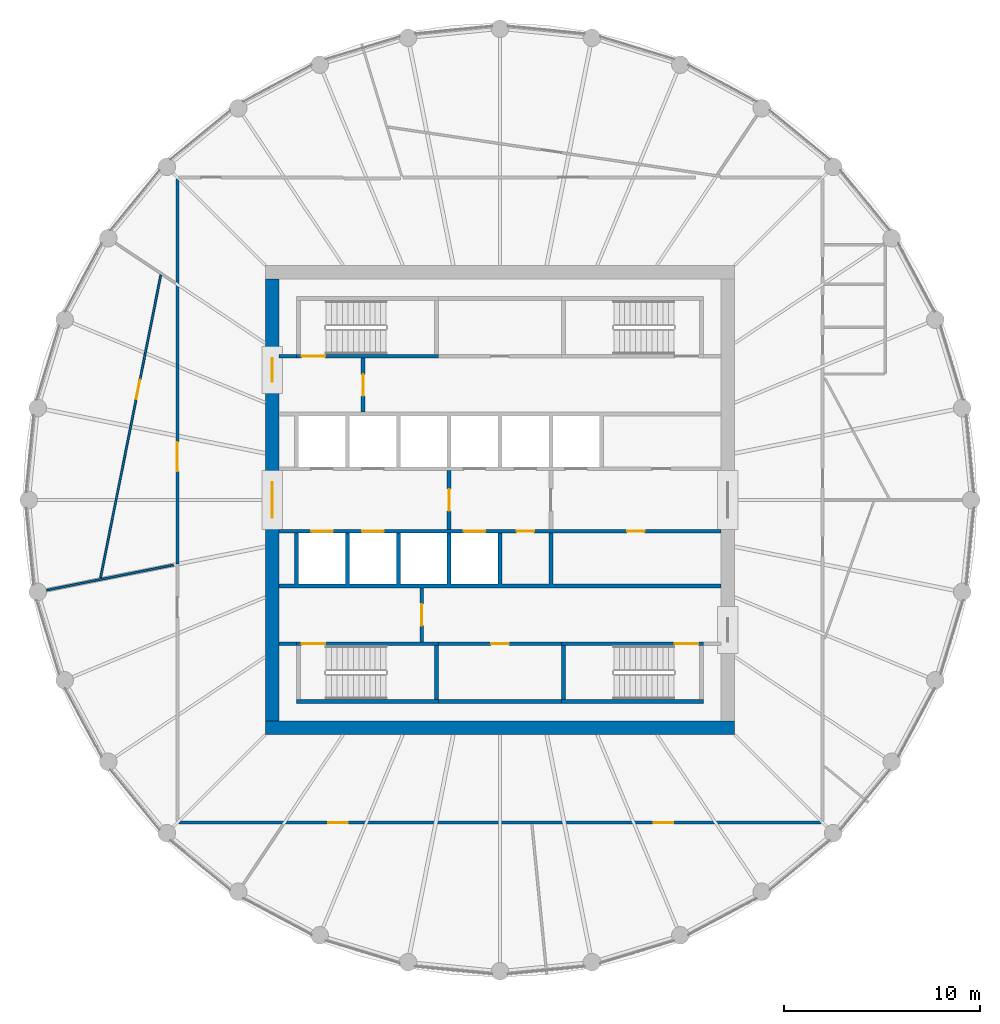
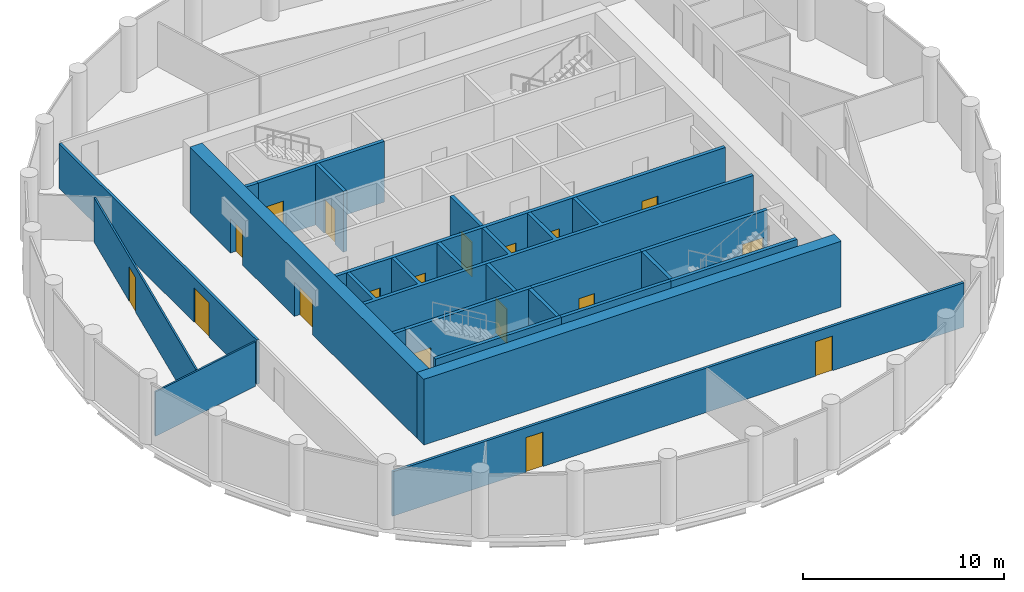
# One storey, part 4 of 7: 22 walls, 18 doors, 18 openings.
"""IFC4 building model written with IfcOpenShell, lengths in metres."""

from ifc_helpers import new_model, si_unit, direction, frame, frame_2d, origin, place, context, subcontext, project, spatial, polyline, rectangle, outline, extrude, material, layer, layer_set, type_object, element, fill, save


model = new_model("IFC4")

# Units and contexts
model_context = context("Model", 3, precision=1e-05, world=origin(), true_north=direction((0.0, 1.0)))
body_context = subcontext(model_context, "Body", "Model", "MODEL_VIEW")
ifc_project = project(units=[si_unit("LENGTHUNIT", "METRE"), si_unit("AREAUNIT", "SQUARE_METRE"), si_unit("VOLUMEUNIT", "CUBIC_METRE"), si_unit("PLANEANGLEUNIT", "RADIAN"), si_unit("MASSUNIT", "GRAM", prefix="KILO")], contexts=[model_context])

# Site, building, storey
site_placement = place(None, origin())
site = spatial("IfcSite", under=ifc_project, at=site_placement, CompositionType="ELEMENT")
building_placement = place(site_placement, origin())
building = spatial("IfcBuilding", under=site, at=building_placement, Name="Corvane Civic Tower", CompositionType="ELEMENT")
storey_placement = place(building_placement, frame((0.0, 0.0, 291.0)))
storey = spatial("IfcBuildingStorey", under=building, at=storey_placement, Name="L69", CompositionType="ELEMENT", Elevation=291.0)

# Wall
ifc_material_1 = material(Name="Concrete C40/50", Category="concrete")
ifc_layer_1 = layer(ifc_material_1, 0.699951171875)
ifc_layer_set_1 = layer_set([ifc_layer_1], Name="Concrete C40/50")
wall_type_1 = type_object("IfcWallType", Name="CORE WALL 700 C40/50", PredefinedType="SHEAR", material=ifc_layer_set_1)
wall_1_placement = place(storey_placement, frame((-12.0, -11.64990234375, 0.0), z_axis=(0.0, 0.0, 1.0), x_axis=(1.0, 0.0, 0.0)))
element("IfcWall", 1, at=wall_1_placement, inside=storey, type_object=wall_type_1, Name="W-L69-core-S", PredefinedType="SHEAR", context=body_context, shape_type="SweptSolid", body=[
    extrude(rectangle(XDim=24.0, YDim=0.699951171875, at=frame_2d((12.0, 0.0))), origin(), (0.0, 0.0, 1.0), 4.0),
])

# Wall, openings, doors
wall_2_placement = place(storey_placement, frame((-11.64990234375, -11.300048828125, 0.0), z_axis=(0.0, 0.0, 1.0), x_axis=(0.0, 1.0, 0.0)))
wall_2 = element("IfcWall", 2, at=wall_2_placement, inside=storey, type_object=wall_type_1, Name="W-L69-core-W", PredefinedType="SHEAR", context=body_context, shape_type="SweptSolid", body=[
    extrude(rectangle(XDim=22.60009765625, YDim=0.699951171875, at=frame_2d((11.300048828125, 0.0))), origin(), (0.0, 0.0, 1.0), 4.0),
])
opening_1_placement = place(wall_2_placement, frame((10.39990234375, 0.0, 0.0)))
opening_1 = element("IfcOpeningElement", 3, at=opening_1_placement, cuts=wall_2, Name="Opening L69.C14", PredefinedType="OPENING", context=body_context, shape_type="SweptSolid", body=[
    extrude(rectangle(XDim=1.800048828125, YDim=2.10009765625, at=frame_2d((0.89990234375, 1.050048828125))), frame((0.0, 0.35986328125, 0.0), z_axis=(0.0, -1.0, 0.0), x_axis=(1.0, 0.0, 0.0)), (0.0, 0.0, 1.0), 0.719970703125),
])
opening_2_placement = place(wall_2_placement, frame((17.35009765625, 0.0, 0.0)))
opening_2 = element("IfcOpeningElement", 4, at=opening_2_placement, cuts=wall_2, Name="Opening L69.C16", PredefinedType="OPENING", context=body_context, shape_type="SweptSolid", body=[
    extrude(rectangle(XDim=1.199951171875, YDim=2.10009765625, at=frame_2d((0.60009765625, 1.050048828125))), frame((0.0, 0.35986328125, 0.0), z_axis=(0.0, -1.0, 0.0), x_axis=(1.0, 0.0, 0.0)), (0.0, 0.0, 1.0), 0.719970703125),
])
ifc_material_2 = material(Name="Steel fire door leaf", Category="steel")
door_type_1 = type_object("IfcDoorType", Name="CR-DOOR-CORE-1800", OperationType="DOUBLE_DOOR_SINGLE_SWING", PredefinedType="DOOR", material=ifc_material_2)
door_1_placement = place(opening_1_placement, origin())
door_1 = element("IfcDoor", 5, at=door_1_placement, inside=storey, type_object=door_type_1, Name="L69 door", OperationType="DOUBLE_DOOR_SINGLE_SWING", OverallHeight=2.10009765625, OverallWidth=1.800048828125, PredefinedType="DOOR", context=body_context, shape_type="SweptSolid", body=[
    extrude(rectangle(XDim=1.800048828125, YDim=2.10009765625, at=frame_2d((0.89990234375, 1.050048828125))), frame((0.0, 0.02490234375, 0.0), z_axis=(0.0, -1.0, 0.0), x_axis=(1.0, 0.0, 0.0)), (0.0, 0.0, 1.0), 0.050048828125),
])
fill(opening_1, door_1)
door_2_placement = place(opening_2_placement, origin())
door_2 = element("IfcDoor", 6, at=door_2_placement, inside=storey, type_object=door_type_1, Name="L69 door", OperationType="DOUBLE_DOOR_SINGLE_SWING", OverallHeight=2.10009765625, OverallWidth=1.199951171875, PredefinedType="DOOR", context=body_context, shape_type="SweptSolid", body=[
    extrude(rectangle(XDim=1.199951171875, YDim=2.10009765625, at=frame_2d((0.60009765625, 1.050048828125))), frame((0.0, 0.02490234375, 0.0), z_axis=(0.0, -1.0, 0.0), x_axis=(1.0, 0.0, 0.0)), (0.0, 0.0, 1.0), 0.050048828125),
])
fill(opening_2, door_2)

# Wall, opening, door
ifc_material_3 = material(Name="Concrete C30/37", Category="concrete")
ifc_layer_2 = layer(ifc_material_3, 0.199951171875)
ifc_layer_set_2 = layer_set([ifc_layer_2], Name="Concrete C30/37")
wall_type_2 = type_object("IfcWallType", Name="CR-WALL-200", PredefinedType="PARTITIONING", material=ifc_layer_set_2)
wall_3_placement = place(storey_placement, frame((-3.14990234375, -7.35009765625, 0.0), z_axis=(0.0, 0.0, 1.0), x_axis=(1.0, 0.0, 0.0)))
wall_3 = element("IfcWall", 7, at=wall_3_placement, inside=storey, type_object=wall_type_2, Name="L69 core partition wall", PredefinedType="PARTITIONING", context=body_context, shape_type="SweptSolid", body=[
    extrude(rectangle(XDim=6.2998046875, YDim=0.199951171875, at=frame_2d((3.14990234375, 0.0))), origin(), (0.0, 0.0, 1.0), 3.699951171875),
])
opening_3_placement = place(wall_3_placement, frame((2.699951171875, 0.0, 0.0)))
opening_3 = element("IfcOpeningElement", 8, at=opening_3_placement, cuts=wall_3, Name="Opening L69.C05", PredefinedType="OPENING", context=body_context, shape_type="SweptSolid", body=[
    extrude(rectangle(XDim=0.89990234375, YDim=2.10009765625, at=frame_2d((0.449951171875, 1.050048828125))), frame((0.0, 0.10986328125, 0.0), z_axis=(0.0, -1.0, 0.0), x_axis=(1.0, 0.0, 0.0)), (0.0, 0.0, 1.0), 0.219970703125),
])
ifc_material_4 = material(Name="Steel fire door leaf", Category="steel")
door_type_2 = type_object("IfcDoorType", Name="CR-DOOR-900", OperationType="SINGLE_SWING_LEFT", PredefinedType="DOOR", material=ifc_material_4)
door_3_placement = place(opening_3_placement, origin())
door_3 = element("IfcDoor", 9, at=door_3_placement, inside=storey, type_object=door_type_2, Name="L69 door", OperationType="SINGLE_SWING_LEFT", OverallHeight=2.10009765625, OverallWidth=0.89990234375, PredefinedType="DOOR", context=body_context, shape_type="SweptSolid", body=[
    extrude(rectangle(XDim=0.89990234375, YDim=2.10009765625, at=frame_2d((0.449951171875, 1.050048828125))), frame((0.0, 0.02490234375, 0.0), z_axis=(0.0, -1.0, 0.0), x_axis=(1.0, 0.0, 0.0)), (0.0, 0.0, 1.0), 0.050048828125),
])
fill(opening_3, door_3)

# Wall, openings, doors
wall_4_placement = place(storey_placement, frame((-11.300048828125, -1.60009765625, 0.0), z_axis=(0.0, 0.0, 1.0), x_axis=(1.0, 0.0, 0.0)))
wall_4 = element("IfcWall", 10, at=wall_4_placement, inside=storey, type_object=wall_type_2, Name="L69 lift shaft wall", PredefinedType="PARTITIONING", context=body_context, shape_type="SweptSolid", body=[
    extrude(rectangle(XDim=22.60009765625, YDim=0.199951171875, at=frame_2d((11.300048828125, 0.0))), origin(), (0.0, 0.0, 1.0), 3.699951171875),
])
opening_4_placement = place(wall_4_placement, frame((1.64990234375, 0.0, 0.0)))
opening_4 = element("IfcOpeningElement", 11, at=opening_4_placement, cuts=wall_4, Name="Opening LD", PredefinedType="OPENING", context=body_context, shape_type="SweptSolid", body=[
    extrude(rectangle(XDim=1.10009765625, YDim=2.10009765625, at=frame_2d((0.550048828125, 1.050048828125))), frame((0.0, 0.10986328125, 0.0), z_axis=(0.0, -1.0, 0.0), x_axis=(1.0, 0.0, 0.0)), (0.0, 0.0, 1.0), 0.219970703125),
])
opening_5_placement = place(wall_4_placement, frame((4.25, 0.0, 0.0)))
opening_5 = element("IfcOpeningElement", 12, at=opening_5_placement, cuts=wall_4, Name="Opening LD", PredefinedType="OPENING", context=body_context, shape_type="SweptSolid", body=[
    extrude(rectangle(XDim=1.10009765625, YDim=2.10009765625, at=frame_2d((0.550048828125, 1.050048828125))), frame((0.0, 0.10986328125, 0.0), z_axis=(0.0, -1.0, 0.0), x_axis=(1.0, 0.0, 0.0)), (0.0, 0.0, 1.0), 0.219970703125),
])
opening_6_placement = place(wall_4_placement, frame((9.449951171875, 0.0, 0.0)))
opening_6 = element("IfcOpeningElement", 13, at=opening_6_placement, cuts=wall_4, Name="Opening LD", PredefinedType="OPENING", context=body_context, shape_type="SweptSolid", body=[
    extrude(rectangle(XDim=1.10009765625, YDim=2.10009765625, at=frame_2d((0.550048828125, 1.050048828125))), frame((0.0, 0.10986328125, 0.0), z_axis=(0.0, -1.0, 0.0), x_axis=(1.0, 0.0, 0.0)), (0.0, 0.0, 1.0), 0.219970703125),
])
opening_7_placement = place(wall_4_placement, frame((12.14990234375, 0.0, 0.0)))
opening_7 = element("IfcOpeningElement", 14, at=opening_7_placement, cuts=wall_4, Name="Opening L69.C02", PredefinedType="OPENING", context=body_context, shape_type="SweptSolid", body=[
    extrude(rectangle(XDim=0.89990234375, YDim=2.10009765625, at=frame_2d((0.449951171875, 1.050048828125))), frame((0.0, 0.10986328125, 0.0), z_axis=(0.0, -1.0, 0.0), x_axis=(1.0, 0.0, 0.0)), (0.0, 0.0, 1.0), 0.219970703125),
])
opening_8_placement = place(wall_4_placement, frame((17.800048828125, 0.0, 0.0)))
opening_8 = element("IfcOpeningElement", 15, at=opening_8_placement, cuts=wall_4, Name="Opening L69.C03", PredefinedType="OPENING", context=body_context, shape_type="SweptSolid", body=[
    extrude(rectangle(XDim=0.89990234375, YDim=2.10009765625, at=frame_2d((0.449951171875, 1.050048828125))), frame((0.0, 0.10986328125, 0.0), z_axis=(0.0, -1.0, 0.0), x_axis=(1.0, 0.0, 0.0)), (0.0, 0.0, 1.0), 0.219970703125),
])
door_4_placement = place(opening_7_placement, origin())
door_4 = element("IfcDoor", 16, at=door_4_placement, inside=storey, type_object=door_type_2, Name="L69 door", OperationType="SINGLE_SWING_LEFT", OverallHeight=2.10009765625, OverallWidth=0.89990234375, PredefinedType="DOOR", context=body_context, shape_type="SweptSolid", body=[
    extrude(rectangle(XDim=0.89990234375, YDim=2.10009765625, at=frame_2d((0.449951171875, 1.050048828125))), frame((0.0, 0.02490234375, 0.0), z_axis=(0.0, -1.0, 0.0), x_axis=(1.0, 0.0, 0.0)), (0.0, 0.0, 1.0), 0.050048828125),
])
fill(opening_7, door_4)
door_5_placement = place(opening_8_placement, origin())
door_5 = element("IfcDoor", 17, at=door_5_placement, inside=storey, type_object=door_type_2, Name="L69 door", OperationType="SINGLE_SWING_LEFT", OverallHeight=2.10009765625, OverallWidth=0.89990234375, PredefinedType="DOOR", context=body_context, shape_type="SweptSolid", body=[
    extrude(rectangle(XDim=0.89990234375, YDim=2.10009765625, at=frame_2d((0.449951171875, 1.050048828125))), frame((0.0, 0.02490234375, 0.0), z_axis=(0.0, -1.0, 0.0), x_axis=(1.0, 0.0, 0.0)), (0.0, 0.0, 1.0), 0.050048828125),
])
fill(opening_8, door_5)
ifc_material_5 = material(Name="Stainless steel 316 door leaves", Category="steel")
door_type_3 = type_object("IfcDoorType", Name="LD", OperationType="DOUBLE_DOOR_SLIDING", PredefinedType="DOOR", material=ifc_material_5)
door_6_placement = place(opening_4_placement, origin())
door_6 = element("IfcDoor", 18, at=door_6_placement, inside=storey, type_object=door_type_3, Name="L69 landing door", OperationType="DOUBLE_DOOR_SLIDING", OverallHeight=2.10009765625, OverallWidth=1.10009765625, PredefinedType="DOOR", context=body_context, shape_type="SweptSolid", body=[
    extrude(rectangle(XDim=1.10009765625, YDim=2.10009765625, at=frame_2d((0.550048828125, 1.050048828125))), frame((0.0, 0.02490234375, 0.0), z_axis=(0.0, -1.0, 0.0), x_axis=(1.0, 0.0, 0.0)), (0.0, 0.0, 1.0), 0.050048828125),
])
fill(opening_4, door_6)
door_7_placement = place(opening_5_placement, origin())
door_7 = element("IfcDoor", 19, at=door_7_placement, inside=storey, type_object=door_type_3, Name="L69 landing door", OperationType="DOUBLE_DOOR_SLIDING", OverallHeight=2.10009765625, OverallWidth=1.10009765625, PredefinedType="DOOR", context=body_context, shape_type="SweptSolid", body=[
    extrude(rectangle(XDim=1.10009765625, YDim=2.10009765625, at=frame_2d((0.550048828125, 1.050048828125))), frame((0.0, 0.02490234375, 0.0), z_axis=(0.0, -1.0, 0.0), x_axis=(1.0, 0.0, 0.0)), (0.0, 0.0, 1.0), 0.050048828125),
])
fill(opening_5, door_7)
door_8_placement = place(opening_6_placement, origin())
door_8 = element("IfcDoor", 20, at=door_8_placement, inside=storey, type_object=door_type_3, Name="L69 landing door", OperationType="DOUBLE_DOOR_SLIDING", OverallHeight=2.10009765625, OverallWidth=1.10009765625, PredefinedType="DOOR", context=body_context, shape_type="SweptSolid", body=[
    extrude(rectangle(XDim=1.10009765625, YDim=2.10009765625, at=frame_2d((0.550048828125, 1.050048828125))), frame((0.0, 0.02490234375, 0.0), z_axis=(0.0, -1.0, 0.0), x_axis=(1.0, 0.0, 0.0)), (0.0, 0.0, 1.0), 0.050048828125),
])
fill(opening_6, door_8)

# Wall, opening, door
wall_5_placement = place(storey_placement, frame((-7.0, 4.5, 0.0), z_axis=(0.0, 0.0, 1.0), x_axis=(0.0, 1.0, 0.0)))
wall_5 = element("IfcWall", 21, at=wall_5_placement, inside=storey, type_object=wall_type_2, Name="L69 core partition wall", PredefinedType="PARTITIONING", context=body_context, shape_type="SweptSolid", body=[
    extrude(rectangle(XDim=2.75, YDim=0.199951171875, at=frame_2d((1.375, 0.0))), origin(), (0.0, 0.0, 1.0), 3.699951171875),
])
opening_9_placement = place(wall_5_placement, frame((0.824951171875, 0.0, 0.0)))
opening_9 = element("IfcOpeningElement", 22, at=opening_9_placement, cuts=wall_5, Name="Opening L69.C12", PredefinedType="OPENING", context=body_context, shape_type="SweptSolid", body=[
    extrude(rectangle(XDim=1.10009765625, YDim=2.10009765625, at=frame_2d((0.550048828125, 1.050048828125))), frame((0.0, 0.10986328125, 0.0), z_axis=(0.0, -1.0, 0.0), x_axis=(1.0, 0.0, 0.0)), (0.0, 0.0, 1.0), 0.219970703125),
])
ifc_material_6 = material(Name="Steel fire door leaf", Category="steel")
door_type_4 = type_object("IfcDoorType", Name="CR-DOOR-FFL-1100", OperationType="SINGLE_SWING_LEFT", PredefinedType="DOOR", material=ifc_material_6)
door_9_placement = place(opening_9_placement, origin())
door_9 = element("IfcDoor", 23, at=door_9_placement, inside=storey, type_object=door_type_4, Name="L69 lobby door", OperationType="SINGLE_SWING_LEFT", OverallHeight=2.10009765625, OverallWidth=1.10009765625, PredefinedType="DOOR", context=body_context, shape_type="SweptSolid", body=[
    extrude(rectangle(XDim=1.10009765625, YDim=2.10009765625, at=frame_2d((0.550048828125, 1.050048828125))), frame((0.0, 0.02490234375, 0.0), z_axis=(0.0, -1.0, 0.0), x_axis=(1.0, 0.0, 0.0)), (0.0, 0.0, 1.0), 0.050048828125),
])
fill(opening_9, door_9)

wall_6_placement = place(storey_placement, frame((-4.0, -7.25, 0.0), z_axis=(0.0, 0.0, 1.0), x_axis=(0.0, 1.0, 0.0)))
wall_6 = element("IfcWall", 24, at=wall_6_placement, inside=storey, type_object=wall_type_2, Name="L69 core partition wall", PredefinedType="PARTITIONING", context=body_context, shape_type="SweptSolid", body=[
    extrude(rectangle(XDim=2.75, YDim=0.199951171875, at=frame_2d((1.375, 0.0))), origin(), (0.0, 0.0, 1.0), 3.699951171875),
])
opening_10_placement = place(wall_6_placement, frame((0.824951171875, 0.0, 0.0)))
opening_10 = element("IfcOpeningElement", 25, at=opening_10_placement, cuts=wall_6, Name="Opening L69.C13", PredefinedType="OPENING", context=body_context, shape_type="SweptSolid", body=[
    extrude(rectangle(XDim=1.10009765625, YDim=2.10009765625, at=frame_2d((0.550048828125, 1.050048828125))), frame((0.0, 0.10986328125, 0.0), z_axis=(0.0, -1.0, 0.0), x_axis=(1.0, 0.0, 0.0)), (0.0, 0.0, 1.0), 0.219970703125),
])
door_10_placement = place(opening_10_placement, origin())
door_10 = element("IfcDoor", 26, at=door_10_placement, inside=storey, type_object=door_type_4, Name="L69 lobby door", OperationType="SINGLE_SWING_LEFT", OverallHeight=2.10009765625, OverallWidth=1.10009765625, PredefinedType="DOOR", context=body_context, shape_type="SweptSolid", body=[
    extrude(rectangle(XDim=1.10009765625, YDim=2.10009765625, at=frame_2d((0.550048828125, 1.050048828125))), frame((0.0, 0.02490234375, 0.0), z_axis=(0.0, -1.0, 0.0), x_axis=(1.0, 0.0, 0.0)), (0.0, 0.0, 1.0), 0.050048828125),
])
fill(opening_10, door_10)

wall_7_placement = place(storey_placement, frame((-2.60009765625, -1.5, 0.0), z_axis=(0.0, 0.0, 1.0), x_axis=(0.0, 1.0, 0.0)))
wall_7 = element("IfcWall", 27, at=wall_7_placement, inside=storey, type_object=wall_type_2, Name="L69 firefighting lobby wall", PredefinedType="PARTITIONING", context=body_context, shape_type="SweptSolid", body=[
    extrude(rectangle(XDim=3.0, YDim=0.199951171875, at=frame_2d((1.5, 0.0))), origin(), (0.0, 0.0, 1.0), 3.699951171875),
])
opening_11_placement = place(wall_7_placement, frame((0.949951171875, 0.0, 0.0)))
opening_11 = element("IfcOpeningElement", 28, at=opening_11_placement, cuts=wall_7, Name="Opening L69.C10", PredefinedType="OPENING", context=body_context, shape_type="SweptSolid", body=[
    extrude(rectangle(XDim=1.10009765625, YDim=2.10009765625, at=frame_2d((0.550048828125, 1.050048828125))), frame((0.0, 0.10986328125, 0.0), z_axis=(0.0, -1.0, 0.0), x_axis=(1.0, 0.0, 0.0)), (0.0, 0.0, 1.0), 0.219970703125),
])
door_11_placement = place(opening_11_placement, origin())
door_11 = element("IfcDoor", 29, at=door_11_placement, inside=storey, type_object=door_type_4, Name="L69 lobby door", OperationType="SINGLE_SWING_LEFT", OverallHeight=2.10009765625, OverallWidth=1.10009765625, PredefinedType="DOOR", context=body_context, shape_type="SweptSolid", body=[
    extrude(rectangle(XDim=1.10009765625, YDim=2.10009765625, at=frame_2d((0.550048828125, 1.050048828125))), frame((0.0, 0.02490234375, 0.0), z_axis=(0.0, -1.0, 0.0), x_axis=(1.0, 0.0, 0.0)), (0.0, 0.0, 1.0), 0.050048828125),
])
fill(opening_11, door_11)

# Walls
wall_8_placement = place(storey_placement, origin())
element("IfcWall", 30, at=wall_8_placement, inside=storey, type_object=wall_type_2, Name="L69 core partition wall", PredefinedType="PARTITIONING", context=body_context, shape_type="SweptSolid", body=[
    extrude(outline(polyline([(-10.39990234375, -7.25), (-10.39990234375, -7.449951171875), (-11.300048828125, -7.449951171875), (-11.300048828125, -7.25), (-10.39990234375, -7.25)])), origin(), (0.0, 0.0, 1.0), 3.699951171875),
])
wall_9_placement = place(storey_placement, origin())
element("IfcWall", 31, at=wall_9_placement, inside=storey, type_object=wall_type_2, Name="L69 core partition wall", PredefinedType="PARTITIONING", context=body_context, shape_type="SweptSolid", body=[
    extrude(outline(polyline([(-10.39990234375, 7.25), (-11.300048828125, 7.25), (-11.300048828125, 7.449951171875), (-10.39990234375, 7.449951171875), (-10.39990234375, 7.25)])), origin(), (0.0, 0.0, 1.0), 3.699951171875),
])
wall_10_placement = place(storey_placement, origin())
element("IfcWall", 32, at=wall_10_placement, inside=storey, type_object=wall_type_2, Name="L69 core partition wall", PredefinedType="PARTITIONING", context=body_context, shape_type="SweptSolid", body=[
    extrude(outline(polyline([(-10.300048828125, -1.699951171875), (-10.300048828125, -4.300048828125), (-7.89990234375, -4.300048828125), (-7.89990234375, -1.699951171875), (-7.699951171875, -1.699951171875), (-7.699951171875, -4.300048828125), (-5.300048828125, -4.300048828125), (-5.300048828125, -1.699951171875), (-5.10009765625, -1.699951171875), (-5.10009765625, -4.300048828125), (-2.699951171875, -4.300048828125), (-2.699951171875, -1.699951171875), (-2.5, -1.699951171875), (-2.5, -4.300048828125), (-0.10009765625, -4.300048828125), (-0.10009765625, -1.699951171875), (0.10009765625, -1.699951171875), (0.10009765625, -4.300048828125), (2.5, -4.300048828125), (2.5, -1.699951171875), (2.699951171875, -1.699951171875), (2.699951171875, -4.300048828125), (11.300048828125, -4.300048828125), (11.300048828125, -4.5), (-11.300048828125, -4.5), (-11.300048828125, -4.300048828125), (-10.5, -4.300048828125), (-10.5, -1.699951171875), (-10.300048828125, -1.699951171875)])), origin(), (0.0, 0.0, 1.0), 3.699951171875),
])
wall_11_placement = place(storey_placement, origin())
element("IfcWall", 33, at=wall_11_placement, inside=storey, type_object=wall_type_2, Name="L69 core partition wall", PredefinedType="PARTITIONING", context=body_context, shape_type="SweptSolid", body=[
    extrude(outline(polyline([(3.14990234375, -10.199951171875), (3.14990234375, -10.39990234375), (-3.14990234375, -10.39990234375), (-3.14990234375, -10.199951171875), (3.14990234375, -10.199951171875)])), origin(), (0.0, 0.0, 1.0), 3.699951171875),
])
ifc_material_7 = material(Name="Plasterboard")
ifc_layer_3 = layer(ifc_material_7, 0.10009765625)
ifc_layer_set_3 = layer_set([ifc_layer_3], Name="Plasterboard")
wall_type_3 = type_object("IfcWallType", Name="Partition 100 plasterboard on studs", PredefinedType="PARTITIONING", material=ifc_layer_set_3)
wall_12_placement = place(storey_placement, frame((-23.185791015625, -4.61181640625, 0.0), z_axis=(0.0, 0.0, 1.0), x_axis=(0.980788963847, 0.195071803181, 0.0)))
element("IfcWall", 34, at=wall_12_placement, inside=storey, type_object=wall_type_3, Name="Partition L69.009", PredefinedType="PARTITIONING", context=body_context, shape_type="SweptSolid", body=[
    extrude(rectangle(XDim=6.609375, YDim=0.10009765625, at=frame_2d((3.3046875, 0.0))), origin(), (0.0, 0.0, 1.0), 2.699951171875),
])

# Wall, opening, door
wall_13_placement = place(storey_placement, frame((-20.430908203125, -3.993408203125, 0.0), z_axis=(0.0, 0.0, 1.0), x_axis=(0.195094157793, 0.980784517412, 0.0)))
wall_13 = element("IfcWall", 35, at=wall_13_placement, inside=storey, type_object=wall_type_3, Name="Partition L69.010", PredefinedType="PARTITIONING", context=body_context, shape_type="SweptSolid", body=[
    extrude(rectangle(XDim=15.80517578125, YDim=0.10009765625, at=frame_2d((7.902587890625, 0.0))), origin(), (0.0, 0.0, 1.0), 2.699951171875),
])
opening_12_placement = place(wall_13_placement, frame((9.340576171875, 0.0, 0.0)))
opening_12 = element("IfcOpeningElement", 36, at=opening_12_placement, cuts=wall_13, Name="Opening L69.011", PredefinedType="OPENING", context=body_context, shape_type="SweptSolid", body=[
    extrude(rectangle(XDim=1.0, YDim=2.10009765625, at=frame_2d((0.5, 1.050048828125))), frame((0.0, 0.06005859375, 0.0), z_axis=(0.0, -1.0, 0.0), x_axis=(1.0, 0.0, 0.0)), (0.0, 0.0, 1.0), 0.1201171875),
])
ifc_material_8 = material(Name="Timber", Category="wood")
door_type_5 = type_object("IfcDoorType", Name="Single door 1000", OperationType="NOTDEFINED", PredefinedType="DOOR", material=ifc_material_8)
door_12_placement = place(opening_12_placement, origin())
door_12 = element("IfcDoor", 37, at=door_12_placement, inside=storey, type_object=door_type_5, Name="Door L69.011", OperationType="SINGLE_SWING_LEFT", OverallHeight=2.10009765625, OverallWidth=1.0, PredefinedType="DOOR", context=body_context, shape_type="SweptSolid", body=[
    extrude(rectangle(XDim=1.0, YDim=2.10009765625, at=frame_2d((0.5, 1.050048828125))), frame((0.0, 0.02490234375, 0.0), z_axis=(0.0, -1.0, 0.0), x_axis=(1.0, 0.0, 0.0)), (0.0, 0.0, 1.0), 0.050048828125),
])
fill(opening_12, door_12)

ifc_material_9 = material(Name="Concrete C50/60", Category="concrete")
ifc_layer_4 = layer(ifc_material_9, 0.199951171875)
ifc_layer_set_4 = layer_set([ifc_layer_4], Name="Concrete C50/60")
wall_type_4 = type_object("IfcWallType", Name="ST-WALL-200", PredefinedType="SHEAR", material=ifc_layer_set_4)
wall_14_placement = place(storey_placement, frame((-10.39990234375, -7.35009765625, 0.0), z_axis=(0.0, 0.0, 1.0), x_axis=(1.0, 0.0, 0.0)))
wall_14 = element("IfcWall", 38, at=wall_14_placement, inside=storey, type_object=wall_type_4, Name="L69 stair enclosure wall", PredefinedType="SHEAR", context=body_context, shape_type="SweptSolid", body=[
    extrude(rectangle(XDim=7.25, YDim=0.199951171875, at=frame_2d((3.625, 0.0))), origin(), (0.0, 0.0, 1.0), 3.699951171875),
])
opening_13_placement = place(wall_14_placement, frame((0.25, 0.0, 0.0)))
opening_13 = element("IfcOpeningElement", 39, at=opening_13_placement, cuts=wall_14, Name="Opening L69.C09", PredefinedType="OPENING", context=body_context, shape_type="SweptSolid", body=[
    extrude(rectangle(XDim=1.199951171875, YDim=2.10009765625, at=frame_2d((0.60009765625, 1.050048828125))), frame((0.0, 0.10986328125, 0.0), z_axis=(0.0, -1.0, 0.0), x_axis=(1.0, 0.0, 0.0)), (0.0, 0.0, 1.0), 0.219970703125),
])
ifc_material_10 = material(Name="Steel fire door leaf", Category="steel")
door_type_6 = type_object("IfcDoorType", Name="ST-DOOR-1200", OperationType="SINGLE_SWING_RIGHT", PredefinedType="DOOR", material=ifc_material_10)
door_13_placement = place(opening_13_placement, origin())
door_13 = element("IfcDoor", 40, at=door_13_placement, inside=storey, type_object=door_type_6, Name="L69 stair door", OperationType="SINGLE_SWING_RIGHT", OverallHeight=2.10009765625, OverallWidth=1.199951171875, PredefinedType="DOOR", context=body_context, shape_type="SweptSolid", body=[
    extrude(rectangle(XDim=1.199951171875, YDim=2.10009765625, at=frame_2d((0.60009765625, 1.050048828125))), frame((0.0, 0.02490234375, 0.0), z_axis=(0.0, -1.0, 0.0), x_axis=(1.0, 0.0, 0.0)), (0.0, 0.0, 1.0), 0.050048828125),
])
fill(opening_13, door_13)

wall_15_placement = place(storey_placement, frame((3.14990234375, -7.35009765625, 0.0), z_axis=(0.0, 0.0, 1.0), x_axis=(1.0, 0.0, 0.0)))
wall_15 = element("IfcWall", 41, at=wall_15_placement, inside=storey, type_object=wall_type_4, Name="L69 stair enclosure wall", PredefinedType="SHEAR", context=body_context, shape_type="SweptSolid", body=[
    extrude(rectangle(XDim=7.25, YDim=0.199951171875, at=frame_2d((3.625, 0.0))), origin(), (0.0, 0.0, 1.0), 3.699951171875),
])
opening_14_placement = place(wall_15_placement, frame((5.800048828125, 0.0, 0.0)))
opening_14 = element("IfcOpeningElement", 42, at=opening_14_placement, cuts=wall_15, Name="Opening L69.C08", PredefinedType="OPENING", context=body_context, shape_type="SweptSolid", body=[
    extrude(rectangle(XDim=1.199951171875, YDim=2.10009765625, at=frame_2d((0.60009765625, 1.050048828125))), frame((0.0, 0.10986328125, 0.0), z_axis=(0.0, -1.0, 0.0), x_axis=(1.0, 0.0, 0.0)), (0.0, 0.0, 1.0), 0.219970703125),
])
door_14_placement = place(opening_14_placement, origin())
door_14 = element("IfcDoor", 43, at=door_14_placement, inside=storey, type_object=door_type_6, Name="L69 stair door", OperationType="SINGLE_SWING_RIGHT", OverallHeight=2.10009765625, OverallWidth=1.199951171875, PredefinedType="DOOR", context=body_context, shape_type="SweptSolid", body=[
    extrude(rectangle(XDim=1.199951171875, YDim=2.10009765625, at=frame_2d((0.60009765625, 1.050048828125))), frame((0.0, 0.02490234375, 0.0), z_axis=(0.0, -1.0, 0.0), x_axis=(1.0, 0.0, 0.0)), (0.0, 0.0, 1.0), 0.050048828125),
])
fill(opening_14, door_14)

wall_16_placement = place(storey_placement, frame((-10.39990234375, 7.35009765625, 0.0), z_axis=(0.0, 0.0, 1.0), x_axis=(1.0, 0.0, 0.0)))
wall_16 = element("IfcWall", 44, at=wall_16_placement, inside=storey, type_object=wall_type_4, Name="L69 stair enclosure wall", PredefinedType="SHEAR", context=body_context, shape_type="SweptSolid", body=[
    extrude(rectangle(XDim=7.25, YDim=0.199951171875, at=frame_2d((3.625, 0.0))), origin(), (0.0, 0.0, 1.0), 3.699951171875),
])
opening_15_placement = place(wall_16_placement, frame((0.25, 0.0, 0.0)))
opening_15 = element("IfcOpeningElement", 45, at=opening_15_placement, cuts=wall_16, Name="Opening L69.C07", PredefinedType="OPENING", context=body_context, shape_type="SweptSolid", body=[
    extrude(rectangle(XDim=1.199951171875, YDim=2.10009765625, at=frame_2d((0.60009765625, 1.050048828125))), frame((0.0, 0.10986328125, 0.0), z_axis=(0.0, -1.0, 0.0), x_axis=(1.0, 0.0, 0.0)), (0.0, 0.0, 1.0), 0.219970703125),
])
door_15_placement = place(opening_15_placement, origin())
door_15 = element("IfcDoor", 46, at=door_15_placement, inside=storey, type_object=door_type_6, Name="L69 stair door", OperationType="SINGLE_SWING_RIGHT", OverallHeight=2.10009765625, OverallWidth=1.199951171875, PredefinedType="DOOR", context=body_context, shape_type="SweptSolid", body=[
    extrude(rectangle(XDim=1.199951171875, YDim=2.10009765625, at=frame_2d((0.60009765625, 1.050048828125))), frame((0.0, 0.02490234375, 0.0), z_axis=(0.0, -1.0, 0.0), x_axis=(1.0, 0.0, 0.0)), (0.0, 0.0, 1.0), 0.050048828125),
])
fill(opening_15, door_15)

# Walls
wall_17_placement = place(storey_placement, origin())
element("IfcWall", 47, at=wall_17_placement, inside=storey, type_object=wall_type_4, Name="L69 stair enclosure wall", PredefinedType="SHEAR", context=body_context, shape_type="SweptSolid", body=[
    extrude(outline(polyline([(-3.14990234375, -10.199951171875), (-3.14990234375, -10.39990234375), (-10.39990234375, -10.39990234375), (-10.39990234375, -10.199951171875), (-3.14990234375, -10.199951171875)])), origin(), (0.0, 0.0, 1.0), 3.699951171875),
])
wall_18_placement = place(storey_placement, origin())
element("IfcWall", 48, at=wall_18_placement, inside=storey, type_object=wall_type_4, Name="L69 stair enclosure wall", PredefinedType="SHEAR", context=body_context, shape_type="SweptSolid", body=[
    extrude(outline(polyline([(10.39990234375, -10.39990234375), (3.14990234375, -10.39990234375), (3.14990234375, -10.199951171875), (10.39990234375, -10.199951171875), (10.39990234375, -10.39990234375)])), origin(), (0.0, 0.0, 1.0), 3.699951171875),
])
wall_19_placement = place(storey_placement, origin())
element("IfcWall", 49, at=wall_19_placement, inside=storey, type_object=wall_type_4, Name="L69 stair enclosure wall", PredefinedType="SHEAR", context=body_context, shape_type="SweptSolid", body=[
    extrude(outline(polyline([(-3.14990234375, -7.449951171875), (-3.14990234375, -10.199951171875), (-3.35009765625, -10.199951171875), (-3.35009765625, -7.449951171875), (-3.14990234375, -7.449951171875)])), origin(), (0.0, 0.0, 1.0), 3.699951171875),
])
wall_20_placement = place(storey_placement, origin())
element("IfcWall", 50, at=wall_20_placement, inside=storey, type_object=wall_type_4, Name="L69 stair enclosure wall", PredefinedType="SHEAR", context=body_context, shape_type="SweptSolid", body=[
    extrude(outline(polyline([(3.35009765625, -7.449951171875), (3.35009765625, -10.199951171875), (3.14990234375, -10.199951171875), (3.14990234375, -7.449951171875), (3.35009765625, -7.449951171875)])), origin(), (0.0, 0.0, 1.0), 3.699951171875),
])

# Wall, openings, doors
ifc_material_11 = material(Name="Plasterboard")
ifc_layer_5 = layer(ifc_material_11, 0.14990234375)
ifc_layer_set_5 = layer_set([ifc_layer_5], Name="Plasterboard")
wall_type_5 = type_object("IfcWallType", Name="Tenancy wall 150 EI 60", PredefinedType="PARTITIONING", material=ifc_layer_set_5)
wall_21_placement = place(storey_placement, frame((-16.425048828125, -16.5, 0.0), z_axis=(0.0, 0.0, 1.0), x_axis=(1.0, 0.0, 0.0)))
wall_21 = element("IfcWall", 51, at=wall_21_placement, inside=storey, type_object=wall_type_5, Name="Partition L69.003", PredefinedType="PARTITIONING", context=body_context, shape_type="SweptSolid", body=[
    extrude(rectangle(XDim=32.85009765625, YDim=0.14990234375, at=frame_2d((16.425048828125, 0.0))), origin(), (0.0, 0.0, 1.0), 2.699951171875),
])
opening_16_placement = place(wall_21_placement, frame((24.291748046875, 0.0, 0.0)))
opening_16 = element("IfcOpeningElement", 52, at=opening_16_placement, cuts=wall_21, Name="Opening L69.008", PredefinedType="OPENING", context=body_context, shape_type="SweptSolid", body=[
    extrude(rectangle(XDim=1.0, YDim=2.10009765625, at=frame_2d((0.5, 1.050048828125))), frame((0.0, 0.0849609375, 0.0), z_axis=(0.0, -1.0, 0.0), x_axis=(1.0, 0.0, 0.0)), (0.0, 0.0, 1.0), 0.169921875),
])
opening_17_placement = place(wall_21_placement, frame((7.647705078125, 0.0, 0.0)))
opening_17 = element("IfcOpeningElement", 53, at=opening_17_placement, cuts=wall_21, Name="Opening L69.009", PredefinedType="OPENING", context=body_context, shape_type="SweptSolid", body=[
    extrude(rectangle(XDim=1.0, YDim=2.10009765625, at=frame_2d((0.5, 1.050048828125))), frame((0.0, 0.0849609375, 0.0), z_axis=(0.0, -1.0, 0.0), x_axis=(1.0, 0.0, 0.0)), (0.0, 0.0, 1.0), 0.169921875),
])
ifc_material_12 = material(Name="Steel and timber", Category="steel")
door_type_7 = type_object("IfcDoorType", Name="Fire door FD30S 1000", OperationType="NOTDEFINED", PredefinedType="DOOR", material=ifc_material_12)
door_16_placement = place(opening_16_placement, frame((1.0, 0.0, 0.0), z_axis=(0.0, 0.0, 1.0), x_axis=(-1.0, 0.0, 0.0)))
door_16 = element("IfcDoor", 54, at=door_16_placement, inside=storey, type_object=door_type_7, Name="Door L69.008", OperationType="SINGLE_SWING_LEFT", OverallHeight=2.10009765625, OverallWidth=1.0, PredefinedType="DOOR", context=body_context, shape_type="SweptSolid", body=[
    extrude(rectangle(XDim=1.0, YDim=2.10009765625, at=frame_2d((0.5, 1.050048828125))), frame((0.0, 0.02490234375, 0.0), z_axis=(0.0, -1.0, 0.0), x_axis=(1.0, 0.0, 0.0)), (0.0, 0.0, 1.0), 0.050048828125),
])
fill(opening_16, door_16)
door_17_placement = place(opening_17_placement, frame((1.0, 0.0, 0.0), z_axis=(0.0, 0.0, 1.0), x_axis=(-1.0, 0.0, 0.0)))
door_17 = element("IfcDoor", 55, at=door_17_placement, inside=storey, type_object=door_type_7, Name="Door L69.009", OperationType="SINGLE_SWING_LEFT", OverallHeight=2.10009765625, OverallWidth=1.0, PredefinedType="DOOR", context=body_context, shape_type="SweptSolid", body=[
    extrude(rectangle(XDim=1.0, YDim=2.10009765625, at=frame_2d((0.5, 1.050048828125))), frame((0.0, 0.02490234375, 0.0), z_axis=(0.0, -1.0, 0.0), x_axis=(1.0, 0.0, 0.0)), (0.0, 0.0, 1.0), 0.050048828125),
])
fill(opening_17, door_17)

# Wall, opening, door
wall_22_placement = place(storey_placement, frame((-16.5, -3.281982421875, 0.0), z_axis=(0.0, 0.0, 1.0), x_axis=(0.0, 1.0, 0.0)))
wall_22 = element("IfcWall", 56, at=wall_22_placement, inside=storey, type_object=wall_type_5, Name="Partition L69.011", PredefinedType="PARTITIONING", context=body_context, shape_type="SweptSolid", body=[
    extrude(rectangle(XDim=19.70703125, YDim=0.14990234375, at=frame_2d((9.853515625, 0.0))), origin(), (0.0, 0.0, 1.0), 2.699951171875),
])
opening_18_placement = place(wall_22_placement, frame((4.7412109375, 0.0, 0.0)))
opening_18 = element("IfcOpeningElement", 57, at=opening_18_placement, cuts=wall_22, Name="Opening L69.012", PredefinedType="OPENING", context=body_context, shape_type="SweptSolid", body=[
    extrude(rectangle(XDim=1.5, YDim=2.10009765625, at=frame_2d((0.75, 1.050048828125))), frame((0.0, 0.0849609375, 0.0), z_axis=(0.0, -1.0, 0.0), x_axis=(1.0, 0.0, 0.0)), (0.0, 0.0, 1.0), 0.169921875),
])
ifc_material_13 = material(Name="Steel and timber", Category="steel")
door_type_8 = type_object("IfcDoorType", Name="Fire door FD60 double 1500", OperationType="NOTDEFINED", PredefinedType="DOOR", material=ifc_material_13)
door_18_placement = place(opening_18_placement, origin())
door_18 = element("IfcDoor", 58, at=door_18_placement, inside=storey, type_object=door_type_8, Name="Door L69.012", OperationType="DOUBLE_DOOR_SINGLE_SWING", OverallHeight=2.10009765625, OverallWidth=1.5, PredefinedType="DOOR", context=body_context, shape_type="SweptSolid", body=[
    extrude(rectangle(XDim=1.5, YDim=2.10009765625, at=frame_2d((0.75, 1.050048828125))), frame((0.0, 0.02490234375, 0.0), z_axis=(0.0, -1.0, 0.0), x_axis=(1.0, 0.0, 0.0)), (0.0, 0.0, 1.0), 0.050048828125),
])
fill(opening_18, door_18)

save(model, "model.ifc")
